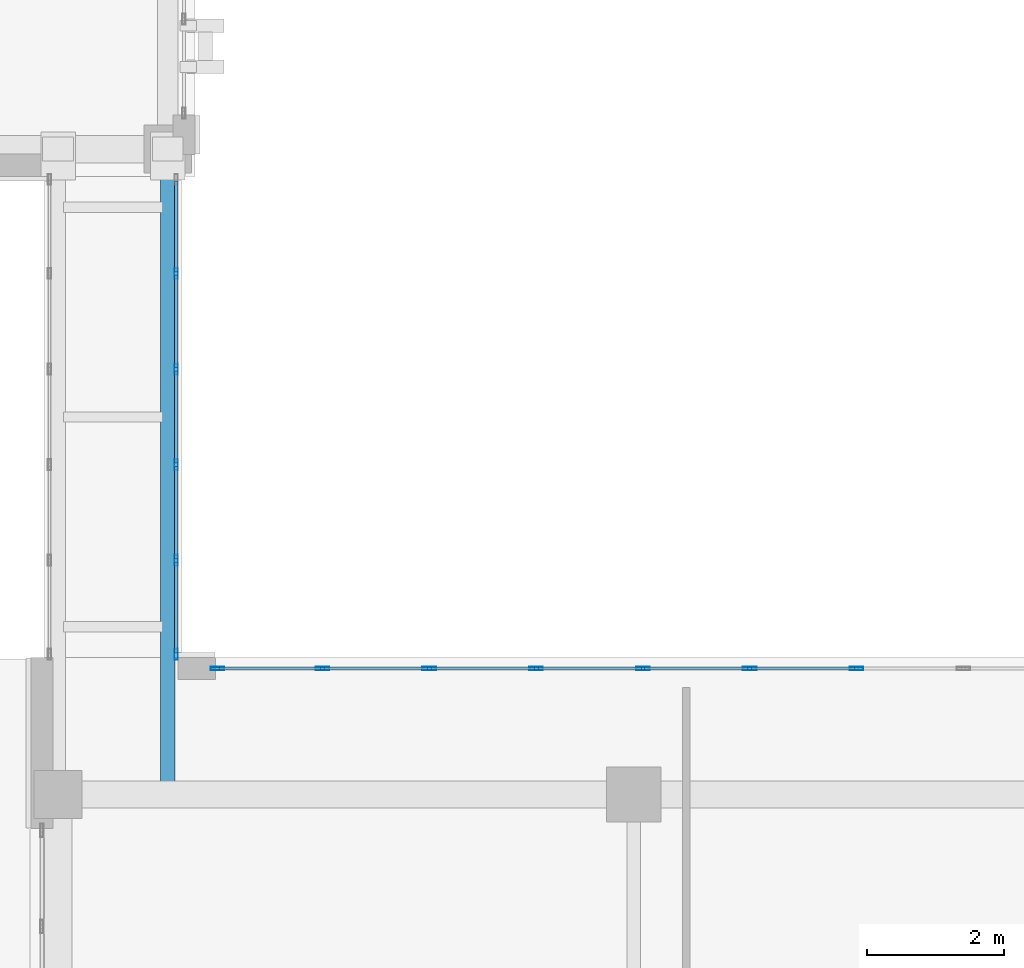
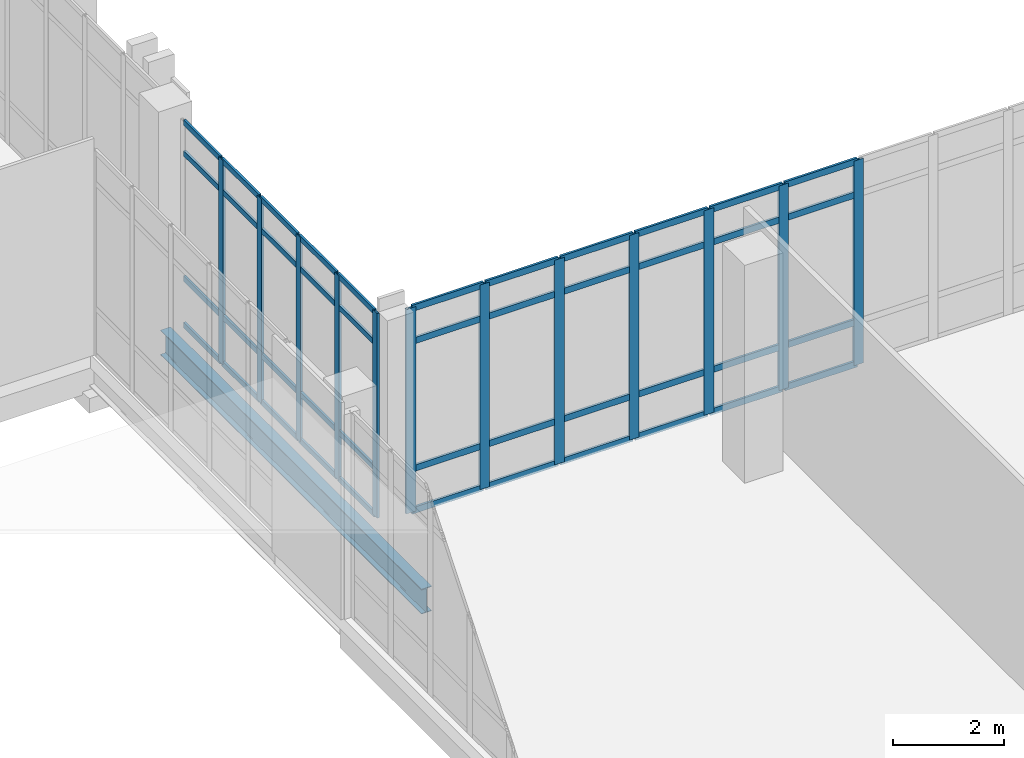
# One storey, part 20 of 189: 56 members, 1 beam, 2 elements without a shape of their own.
"""IFC4 building model written with IfcOpenShell, lengths in metres."""

from ifc_helpers import new_model, si_unit, direction, frame, origin, origin_2d, place, context, subcontext, project, spatial, hollow_rectangle, i_section, extrude, material, layer, layer_set, material_profile, profile_set, type_object, element, aggregate, save


model = new_model("IFC4")

# Units and contexts
model_context = context("Model", 3, precision=1e-05, world=origin(), true_north=direction((0.0, 1.0)))
body_context = subcontext(model_context, "Body", "Model", "MODEL_VIEW")
ifc_project = project(units=[si_unit("LENGTHUNIT", "METRE"), si_unit("AREAUNIT", "SQUARE_METRE"), si_unit("VOLUMEUNIT", "CUBIC_METRE"), si_unit("PLANEANGLEUNIT", "RADIAN"), si_unit("MASSUNIT", "GRAM", prefix="KILO")], contexts=[model_context])

# Site, building, storey
site_placement = place(None, origin())
site = spatial("IfcSite", under=ifc_project, at=site_placement, CompositionType="ELEMENT")
building_placement = place(site_placement, origin())
building = spatial("IfcBuilding", under=site, at=building_placement, Name="Qalavern Law Courts", CompositionType="ELEMENT")
storey_placement = place(building_placement, frame((0.0, 0.0, 5.39990234375)))
storey = spatial("IfcBuildingStorey", under=building, at=storey_placement, Name="L01", CompositionType="ELEMENT", Elevation=5.39990234375)

# Curtain wall, members
ifc_material_1 = material(Name="Anodised aluminium and insulated glazing", Category="aluminium")
ifc_layer_1 = layer(ifc_material_1, 0.14990234375)
ifc_layer_set_1 = layer_set([ifc_layer_1], Name="Anodised aluminium and insulated glazing")
curtain_wall_type_1 = type_object("IfcCurtainWallType", Name="ENV-CW-BRG", PredefinedType="USERDEFINED", material=ifc_layer_set_1)
curtain_wall_1_placement = place(storey_placement, origin())
curtain_wall_1 = element("IfcCurtainWall", 1, at=curtain_wall_1_placement, inside=storey, type_object=curtain_wall_type_1, Name="Bridge BR-V1-V3 glazed curtain wall L01-2", ObjectType="UNITISED CURTAIN WALL", PredefinedType="USERDEFINED")
ifc_material_2 = material(Name="Anodised aluminium", Category="aluminium")
ifc_material_profile_1 = material_profile(ifc_material_2, hollow_rectangle(XDim=0.048095703125, YDim=0.159912109375, WallThickness=0.00390625, at=origin_2d()), Name="ALU MULLION 48x160")
ifc_profile_set_1 = profile_set([ifc_material_profile_1], Name="Anodised aluminium")
member_type_1 = type_object("IfcMemberType", Name="ENV-CWM-48x160", PredefinedType="MULLION", material=ifc_profile_set_1)
member_1_placement = place(storey_placement, frame((18.52490234375, 34.0439453125, 0.0), z_axis=(0.0, 0.0, 1.0), x_axis=(-1.0, 0.0, 0.0)))
member_1 = element("IfcMember", 2, at=member_1_placement, type_object=member_type_1, Name="CW-06 mullion 1", PredefinedType="MULLION", context=body_context, shape_type="SweptSolid", body=[
    extrude(hollow_rectangle(XDim=0.048095703125, YDim=0.159912109375, WallThickness=0.00390625, at=origin_2d()), origin(), (0.0, 0.0, 1.0), 4.510009765625),
])
member_2_placement = place(storey_placement, frame((18.52490234375, 35.416015625, 0.0), z_axis=(0.0, 0.0, 1.0), x_axis=(-1.0, 0.0, 0.0)))
member_2 = element("IfcMember", 3, at=member_2_placement, type_object=member_type_1, Name="CW-06 mullion 2", PredefinedType="MULLION", context=body_context, shape_type="SweptSolid", body=[
    extrude(hollow_rectangle(XDim=0.048095703125, YDim=0.159912109375, WallThickness=0.00390625, at=origin_2d()), origin(), (0.0, 0.0, 1.0), 4.510009765625),
])
member_3_placement = place(storey_placement, frame((18.52490234375, 36.81201171875, 0.0), z_axis=(0.0, 0.0, 1.0), x_axis=(-1.0, 0.0, 0.0)))
member_3 = element("IfcMember", 4, at=member_3_placement, type_object=member_type_1, Name="CW-06 mullion 3", PredefinedType="MULLION", context=body_context, shape_type="SweptSolid", body=[
    extrude(hollow_rectangle(XDim=0.048095703125, YDim=0.159912109375, WallThickness=0.00390625, at=origin_2d()), origin(), (0.0, 0.0, 1.0), 4.510009765625),
])
member_4_placement = place(storey_placement, frame((18.52490234375, 38.2080078125, 0.0), z_axis=(0.0, 0.0, 1.0), x_axis=(-1.0, 0.0, 0.0)))
member_4 = element("IfcMember", 5, at=member_4_placement, type_object=member_type_1, Name="CW-06 mullion 4", PredefinedType="MULLION", context=body_context, shape_type="SweptSolid", body=[
    extrude(hollow_rectangle(XDim=0.048095703125, YDim=0.159912109375, WallThickness=0.00390625, at=origin_2d()), origin(), (0.0, 0.0, 1.0), 4.510009765625),
])
member_5_placement = place(storey_placement, frame((18.52490234375, 39.60400390625, 0.0), z_axis=(0.0, 0.0, 1.0), x_axis=(-1.0, 0.0, 0.0)))
member_5 = element("IfcMember", 6, at=member_5_placement, type_object=member_type_1, Name="CW-06 mullion 5", PredefinedType="MULLION", context=body_context, shape_type="SweptSolid", body=[
    extrude(hollow_rectangle(XDim=0.048095703125, YDim=0.159912109375, WallThickness=0.00390625, at=origin_2d()), origin(), (0.0, 0.0, 1.0), 4.510009765625),
])

ifc_layer_2 = layer(ifc_material_1, 0.199951171875)
ifc_layer_set_2 = layer_set([ifc_layer_2], Name="Anodised aluminium and insulated glazing")
curtain_wall_type_2 = type_object("IfcCurtainWallType", Name="ENV-CW-FOYER", PredefinedType="USERDEFINED", material=ifc_layer_set_2)
curtain_wall_2_placement = place(storey_placement, origin())
curtain_wall_2 = element("IfcCurtainWall", 7, at=curtain_wall_2_placement, inside=storey, type_object=curtain_wall_type_2, Name="V1 unitised curtain wall L01 north 1", ObjectType="UNITISED CURTAIN WALL", PredefinedType="USERDEFINED")
ifc_material_profile_2 = material_profile(ifc_material_2, hollow_rectangle(XDim=0.048095703125, YDim=0.199951171875, WallThickness=0.00439453125, at=origin_2d()), Name="ALU MULLION 48x200")
ifc_profile_set_2 = profile_set([ifc_material_profile_2], Name="Anodised aluminium")
member_type_2 = type_object("IfcMemberType", Name="ENV-CWM-48x200", PredefinedType="MULLION", material=ifc_profile_set_2)
member_6_placement = place(storey_placement, frame((28.453369140625, 33.83740234375, 0.0), z_axis=(0.0, 0.0, 1.0), x_axis=(0.0, -1.0, 0.0)))
member_6 = element("IfcMember", 8, at=member_6_placement, type_object=member_type_2, Name="CW-01 mullion 4", PredefinedType="MULLION", context=body_context, shape_type="SweptSolid", body=[
    extrude(hollow_rectangle(XDim=0.048095703125, YDim=0.199951171875, WallThickness=0.00439453125, at=origin_2d()), origin(), (0.0, 0.0, 1.0), 4.510009765625),
])
member_7_placement = place(storey_placement, frame((26.89453125, 33.83740234375, 0.0), z_axis=(0.0, 0.0, 1.0), x_axis=(0.0, -1.0, 0.0)))
member_7 = element("IfcMember", 9, at=member_7_placement, type_object=member_type_2, Name="CW-01 mullion 5", PredefinedType="MULLION", context=body_context, shape_type="SweptSolid", body=[
    extrude(hollow_rectangle(XDim=0.048095703125, YDim=0.199951171875, WallThickness=0.00439453125, at=origin_2d()), origin(), (0.0, 0.0, 1.0), 4.510009765625),
])
member_8_placement = place(storey_placement, frame((25.33544921875, 33.83740234375, 0.0), z_axis=(0.0, 0.0, 1.0), x_axis=(0.0, -1.0, 0.0)))
member_8 = element("IfcMember", 10, at=member_8_placement, type_object=member_type_2, Name="CW-01 mullion 6", PredefinedType="MULLION", context=body_context, shape_type="SweptSolid", body=[
    extrude(hollow_rectangle(XDim=0.048095703125, YDim=0.199951171875, WallThickness=0.00439453125, at=origin_2d()), origin(), (0.0, 0.0, 1.0), 4.510009765625),
])
member_9_placement = place(storey_placement, frame((23.776611328125, 33.83740234375, 0.0), z_axis=(0.0, 0.0, 1.0), x_axis=(0.0, -1.0, 0.0)))
member_9 = element("IfcMember", 11, at=member_9_placement, type_object=member_type_2, Name="CW-01 mullion 7", PredefinedType="MULLION", context=body_context, shape_type="SweptSolid", body=[
    extrude(hollow_rectangle(XDim=0.048095703125, YDim=0.199951171875, WallThickness=0.00439453125, at=origin_2d()), origin(), (0.0, 0.0, 1.0), 4.510009765625),
])
member_10_placement = place(storey_placement, frame((22.2177734375, 33.83740234375, 0.0), z_axis=(0.0, 0.0, 1.0), x_axis=(0.0, -1.0, 0.0)))
member_10 = element("IfcMember", 12, at=member_10_placement, type_object=member_type_2, Name="CW-01 mullion 8", PredefinedType="MULLION", context=body_context, shape_type="SweptSolid", body=[
    extrude(hollow_rectangle(XDim=0.048095703125, YDim=0.199951171875, WallThickness=0.00439453125, at=origin_2d()), origin(), (0.0, 0.0, 1.0), 4.510009765625),
])
member_11_placement = place(storey_placement, frame((20.658935546875, 33.83740234375, 0.0), z_axis=(0.0, 0.0, 1.0), x_axis=(0.0, -1.0, 0.0)))
member_11 = element("IfcMember", 13, at=member_11_placement, type_object=member_type_2, Name="CW-01 mullion 9", PredefinedType="MULLION", context=body_context, shape_type="SweptSolid", body=[
    extrude(hollow_rectangle(XDim=0.048095703125, YDim=0.199951171875, WallThickness=0.00439453125, at=origin_2d()), origin(), (0.0, 0.0, 1.0), 4.510009765625),
])
member_12_placement = place(storey_placement, frame((19.1240234375, 33.83740234375, 0.0), z_axis=(0.0, 0.0, 1.0), x_axis=(0.0, -1.0, 0.0)))
member_12 = element("IfcMember", 14, at=member_12_placement, type_object=member_type_2, Name="CW-01 mullion 10", PredefinedType="MULLION", context=body_context, shape_type="SweptSolid", body=[
    extrude(hollow_rectangle(XDim=0.048095703125, YDim=0.199951171875, WallThickness=0.00439453125, at=origin_2d()), origin(), (0.0, 0.0, 1.0), 4.510009765625),
])

# Member
ifc_material_profile_3 = material_profile(ifc_material_2, hollow_rectangle(XDim=0.048095703125, YDim=0.1201171875, WallThickness=0.00390625, at=origin_2d()), Name="ALU TRANSOM 48x120")
ifc_profile_set_3 = profile_set([ifc_material_profile_3], Name="Anodised aluminium")
member_type_3 = type_object("IfcMemberType", Name="ENV-CWT-48x120", PredefinedType="USERDEFINED", material=ifc_profile_set_3)
member_13_placement = place(storey_placement, frame((18.52490234375, 34.068115234375, 0.024169921875), z_axis=(0.0, 1.0, 0.0), x_axis=(-1.0, 0.0, 0.0)))
member_13 = element("IfcMember", 15, at=member_13_placement, type_object=member_type_3, Name="CW-06 transom 1.1", ObjectType="TRANSOM", PredefinedType="USERDEFINED", context=body_context, shape_type="SweptSolid", body=[
    extrude(hollow_rectangle(XDim=0.048095703125, YDim=0.1201171875, WallThickness=0.00390625, at=origin_2d()), origin(), (0.0, 0.0, 1.0), 1.323974609375),
])

member_14_placement = place(storey_placement, frame((18.52490234375, 34.068115234375, 1.050048828125), z_axis=(0.0, 1.0, 0.0), x_axis=(-1.0, 0.0, 0.0)))
member_14 = element("IfcMember", 16, at=member_14_placement, type_object=member_type_3, Name="CW-06 transom 1.2", ObjectType="TRANSOM", PredefinedType="USERDEFINED", context=body_context, shape_type="SweptSolid", body=[
    extrude(hollow_rectangle(XDim=0.048095703125, YDim=0.1201171875, WallThickness=0.00390625, at=origin_2d()), origin(), (0.0, 0.0, 1.0), 1.323974609375),
])

member_15_placement = place(storey_placement, frame((18.52490234375, 34.068115234375, 3.81005859375), z_axis=(0.0, 1.0, 0.0), x_axis=(-1.0, 0.0, 0.0)))
member_15 = element("IfcMember", 17, at=member_15_placement, type_object=member_type_3, Name="CW-06 transom 1.3", ObjectType="TRANSOM", PredefinedType="USERDEFINED", context=body_context, shape_type="SweptSolid", body=[
    extrude(hollow_rectangle(XDim=0.048095703125, YDim=0.1201171875, WallThickness=0.00390625, at=origin_2d()), origin(), (0.0, 0.0, 1.0), 1.323974609375),
])

member_16_placement = place(storey_placement, frame((18.52490234375, 34.068115234375, 4.486083984375), z_axis=(0.0, 1.0, 0.0), x_axis=(-1.0, 0.0, 0.0)))
member_16 = element("IfcMember", 18, at=member_16_placement, type_object=member_type_3, Name="CW-06 transom 1.4", ObjectType="TRANSOM", PredefinedType="USERDEFINED", context=body_context, shape_type="SweptSolid", body=[
    extrude(hollow_rectangle(XDim=0.048095703125, YDim=0.1201171875, WallThickness=0.00390625, at=origin_2d()), origin(), (0.0, 0.0, 1.0), 1.323974609375),
])

member_17_placement = place(storey_placement, frame((18.52490234375, 35.43994140625, 0.024169921875), z_axis=(0.0, 1.0, 0.0), x_axis=(-1.0, 0.0, 0.0)))
member_17 = element("IfcMember", 19, at=member_17_placement, type_object=member_type_3, Name="CW-06 transom 2.1", ObjectType="TRANSOM", PredefinedType="USERDEFINED", context=body_context, shape_type="SweptSolid", body=[
    extrude(hollow_rectangle(XDim=0.048095703125, YDim=0.1201171875, WallThickness=0.00390625, at=origin_2d()), origin(), (0.0, 0.0, 1.0), 1.34814453125),
])

member_18_placement = place(storey_placement, frame((18.52490234375, 35.43994140625, 1.050048828125), z_axis=(0.0, 1.0, 0.0), x_axis=(-1.0, 0.0, 0.0)))
member_18 = element("IfcMember", 20, at=member_18_placement, type_object=member_type_3, Name="CW-06 transom 2.2", ObjectType="TRANSOM", PredefinedType="USERDEFINED", context=body_context, shape_type="SweptSolid", body=[
    extrude(hollow_rectangle(XDim=0.048095703125, YDim=0.1201171875, WallThickness=0.00390625, at=origin_2d()), origin(), (0.0, 0.0, 1.0), 1.34814453125),
])

member_19_placement = place(storey_placement, frame((18.52490234375, 35.43994140625, 3.81005859375), z_axis=(0.0, 1.0, 0.0), x_axis=(-1.0, 0.0, 0.0)))
member_19 = element("IfcMember", 21, at=member_19_placement, type_object=member_type_3, Name="CW-06 transom 2.3", ObjectType="TRANSOM", PredefinedType="USERDEFINED", context=body_context, shape_type="SweptSolid", body=[
    extrude(hollow_rectangle(XDim=0.048095703125, YDim=0.1201171875, WallThickness=0.00390625, at=origin_2d()), origin(), (0.0, 0.0, 1.0), 1.34814453125),
])

member_20_placement = place(storey_placement, frame((18.52490234375, 35.43994140625, 4.486083984375), z_axis=(0.0, 1.0, 0.0), x_axis=(-1.0, 0.0, 0.0)))
member_20 = element("IfcMember", 22, at=member_20_placement, type_object=member_type_3, Name="CW-06 transom 2.4", ObjectType="TRANSOM", PredefinedType="USERDEFINED", context=body_context, shape_type="SweptSolid", body=[
    extrude(hollow_rectangle(XDim=0.048095703125, YDim=0.1201171875, WallThickness=0.00390625, at=origin_2d()), origin(), (0.0, 0.0, 1.0), 1.34814453125),
])

member_21_placement = place(storey_placement, frame((18.52490234375, 36.8359375, 0.024169921875), z_axis=(0.0, 1.0, 0.0), x_axis=(-1.0, 0.0, 0.0)))
member_21 = element("IfcMember", 23, at=member_21_placement, type_object=member_type_3, Name="CW-06 transom 3.1", ObjectType="TRANSOM", PredefinedType="USERDEFINED", context=body_context, shape_type="SweptSolid", body=[
    extrude(hollow_rectangle(XDim=0.048095703125, YDim=0.1201171875, WallThickness=0.00390625, at=origin_2d()), origin(), (0.0, 0.0, 1.0), 1.34814453125),
])

member_22_placement = place(storey_placement, frame((18.52490234375, 36.8359375, 1.050048828125), z_axis=(0.0, 1.0, 0.0), x_axis=(-1.0, 0.0, 0.0)))
member_22 = element("IfcMember", 24, at=member_22_placement, type_object=member_type_3, Name="CW-06 transom 3.2", ObjectType="TRANSOM", PredefinedType="USERDEFINED", context=body_context, shape_type="SweptSolid", body=[
    extrude(hollow_rectangle(XDim=0.048095703125, YDim=0.1201171875, WallThickness=0.00390625, at=origin_2d()), origin(), (0.0, 0.0, 1.0), 1.34814453125),
])

member_23_placement = place(storey_placement, frame((18.52490234375, 36.8359375, 3.81005859375), z_axis=(0.0, 1.0, 0.0), x_axis=(-1.0, 0.0, 0.0)))
member_23 = element("IfcMember", 25, at=member_23_placement, type_object=member_type_3, Name="CW-06 transom 3.3", ObjectType="TRANSOM", PredefinedType="USERDEFINED", context=body_context, shape_type="SweptSolid", body=[
    extrude(hollow_rectangle(XDim=0.048095703125, YDim=0.1201171875, WallThickness=0.00390625, at=origin_2d()), origin(), (0.0, 0.0, 1.0), 1.34814453125),
])

member_24_placement = place(storey_placement, frame((18.52490234375, 36.8359375, 4.486083984375), z_axis=(0.0, 1.0, 0.0), x_axis=(-1.0, 0.0, 0.0)))
member_24 = element("IfcMember", 26, at=member_24_placement, type_object=member_type_3, Name="CW-06 transom 3.4", ObjectType="TRANSOM", PredefinedType="USERDEFINED", context=body_context, shape_type="SweptSolid", body=[
    extrude(hollow_rectangle(XDim=0.048095703125, YDim=0.1201171875, WallThickness=0.00390625, at=origin_2d()), origin(), (0.0, 0.0, 1.0), 1.34814453125),
])

member_25_placement = place(storey_placement, frame((18.52490234375, 38.23193359375, 0.024169921875), z_axis=(0.0, 1.0, 0.0), x_axis=(-1.0, 0.0, 0.0)))
member_25 = element("IfcMember", 27, at=member_25_placement, type_object=member_type_3, Name="CW-06 transom 4.1", ObjectType="TRANSOM", PredefinedType="USERDEFINED", context=body_context, shape_type="SweptSolid", body=[
    extrude(hollow_rectangle(XDim=0.048095703125, YDim=0.1201171875, WallThickness=0.00390625, at=origin_2d()), origin(), (0.0, 0.0, 1.0), 1.34814453125),
])

member_26_placement = place(storey_placement, frame((18.52490234375, 38.23193359375, 1.050048828125), z_axis=(0.0, 1.0, 0.0), x_axis=(-1.0, 0.0, 0.0)))
member_26 = element("IfcMember", 28, at=member_26_placement, type_object=member_type_3, Name="CW-06 transom 4.2", ObjectType="TRANSOM", PredefinedType="USERDEFINED", context=body_context, shape_type="SweptSolid", body=[
    extrude(hollow_rectangle(XDim=0.048095703125, YDim=0.1201171875, WallThickness=0.00390625, at=origin_2d()), origin(), (0.0, 0.0, 1.0), 1.34814453125),
])

member_27_placement = place(storey_placement, frame((18.52490234375, 38.23193359375, 3.81005859375), z_axis=(0.0, 1.0, 0.0), x_axis=(-1.0, 0.0, 0.0)))
member_27 = element("IfcMember", 29, at=member_27_placement, type_object=member_type_3, Name="CW-06 transom 4.3", ObjectType="TRANSOM", PredefinedType="USERDEFINED", context=body_context, shape_type="SweptSolid", body=[
    extrude(hollow_rectangle(XDim=0.048095703125, YDim=0.1201171875, WallThickness=0.00390625, at=origin_2d()), origin(), (0.0, 0.0, 1.0), 1.34814453125),
])

member_28_placement = place(storey_placement, frame((18.52490234375, 38.23193359375, 4.486083984375), z_axis=(0.0, 1.0, 0.0), x_axis=(-1.0, 0.0, 0.0)))
member_28 = element("IfcMember", 30, at=member_28_placement, type_object=member_type_3, Name="CW-06 transom 4.4", ObjectType="TRANSOM", PredefinedType="USERDEFINED", context=body_context, shape_type="SweptSolid", body=[
    extrude(hollow_rectangle(XDim=0.048095703125, YDim=0.1201171875, WallThickness=0.00390625, at=origin_2d()), origin(), (0.0, 0.0, 1.0), 1.34814453125),
])

member_29_placement = place(storey_placement, frame((18.52490234375, 39.6279296875, 0.024169921875), z_axis=(0.0, 1.0, 0.0), x_axis=(-1.0, 0.0, 0.0)))
member_29 = element("IfcMember", 31, at=member_29_placement, type_object=member_type_3, Name="CW-06 transom 5.1", ObjectType="TRANSOM", PredefinedType="USERDEFINED", context=body_context, shape_type="SweptSolid", body=[
    extrude(hollow_rectangle(XDim=0.048095703125, YDim=0.1201171875, WallThickness=0.00390625, at=origin_2d()), origin(), (0.0, 0.0, 1.0), 1.323974609375),
])

member_30_placement = place(storey_placement, frame((18.52490234375, 39.6279296875, 1.050048828125), z_axis=(0.0, 1.0, 0.0), x_axis=(-1.0, 0.0, 0.0)))
member_30 = element("IfcMember", 32, at=member_30_placement, type_object=member_type_3, Name="CW-06 transom 5.2", ObjectType="TRANSOM", PredefinedType="USERDEFINED", context=body_context, shape_type="SweptSolid", body=[
    extrude(hollow_rectangle(XDim=0.048095703125, YDim=0.1201171875, WallThickness=0.00390625, at=origin_2d()), origin(), (0.0, 0.0, 1.0), 1.323974609375),
])

member_31_placement = place(storey_placement, frame((18.52490234375, 39.6279296875, 3.81005859375), z_axis=(0.0, 1.0, 0.0), x_axis=(-1.0, 0.0, 0.0)))
member_31 = element("IfcMember", 33, at=member_31_placement, type_object=member_type_3, Name="CW-06 transom 5.3", ObjectType="TRANSOM", PredefinedType="USERDEFINED", context=body_context, shape_type="SweptSolid", body=[
    extrude(hollow_rectangle(XDim=0.048095703125, YDim=0.1201171875, WallThickness=0.00390625, at=origin_2d()), origin(), (0.0, 0.0, 1.0), 1.323974609375),
])

member_32_placement = place(storey_placement, frame((18.52490234375, 39.6279296875, 4.486083984375), z_axis=(0.0, 1.0, 0.0), x_axis=(-1.0, 0.0, 0.0)))
member_32 = element("IfcMember", 34, at=member_32_placement, type_object=member_type_3, Name="CW-06 transom 5.4", ObjectType="TRANSOM", PredefinedType="USERDEFINED", context=body_context, shape_type="SweptSolid", body=[
    extrude(hollow_rectangle(XDim=0.048095703125, YDim=0.1201171875, WallThickness=0.00390625, at=origin_2d()), origin(), (0.0, 0.0, 1.0), 1.323974609375),
])

aggregate(curtain_wall_1, [member_1, member_2, member_3, member_4, member_5, member_13, member_14, member_15, member_16, member_17, member_18, member_19, member_20, member_21, member_22, member_23, member_24, member_25, member_26, member_27, member_28, member_29, member_30, member_31, member_32])

ifc_material_profile_4 = material_profile(ifc_material_2, hollow_rectangle(XDim=0.048095703125, YDim=0.139892578125, WallThickness=0.00390625, at=origin_2d()), Name="ALU TRANSOM 48x140")
ifc_profile_set_4 = profile_set([ifc_material_profile_4], Name="Anodised aluminium")
member_type_4 = type_object("IfcMemberType", Name="ENV-CWT-48x140", PredefinedType="USERDEFINED", material=ifc_profile_set_4)
member_33_placement = place(storey_placement, frame((28.429443359375, 33.83740234375, 0.024169921875), z_axis=(-1.0, 0.0, 0.0), x_axis=(0.0, -1.0, 0.0)))
member_33 = element("IfcMember", 35, at=member_33_placement, type_object=member_type_4, Name="CW-01 transom 4.1", ObjectType="TRANSOM", PredefinedType="USERDEFINED", context=body_context, shape_type="SweptSolid", body=[
    extrude(hollow_rectangle(XDim=0.048095703125, YDim=0.139892578125, WallThickness=0.00390625, at=origin_2d()), origin(), (0.0, 0.0, 1.0), 1.510986328125),
])

member_34_placement = place(storey_placement, frame((28.429443359375, 33.83740234375, 0.9501953125), z_axis=(-1.0, 0.0, 0.0), x_axis=(0.0, -1.0, 0.0)))
member_34 = element("IfcMember", 36, at=member_34_placement, type_object=member_type_4, Name="CW-01 transom 4.2", ObjectType="TRANSOM", PredefinedType="USERDEFINED", context=body_context, shape_type="SweptSolid", body=[
    extrude(hollow_rectangle(XDim=0.048095703125, YDim=0.139892578125, WallThickness=0.00390625, at=origin_2d()), origin(), (0.0, 0.0, 1.0), 1.510986328125),
])

member_35_placement = place(storey_placement, frame((28.429443359375, 33.83740234375, 3.760009765625), z_axis=(-1.0, 0.0, 0.0), x_axis=(0.0, -1.0, 0.0)))
member_35 = element("IfcMember", 37, at=member_35_placement, type_object=member_type_4, Name="CW-01 transom 4.3", ObjectType="TRANSOM", PredefinedType="USERDEFINED", context=body_context, shape_type="SweptSolid", body=[
    extrude(hollow_rectangle(XDim=0.048095703125, YDim=0.139892578125, WallThickness=0.00390625, at=origin_2d()), origin(), (0.0, 0.0, 1.0), 1.510986328125),
])

member_36_placement = place(storey_placement, frame((28.429443359375, 33.83740234375, 4.486083984375), z_axis=(-1.0, 0.0, 0.0), x_axis=(0.0, -1.0, 0.0)))
member_36 = element("IfcMember", 38, at=member_36_placement, type_object=member_type_4, Name="CW-01 transom 4.4", ObjectType="TRANSOM", PredefinedType="USERDEFINED", context=body_context, shape_type="SweptSolid", body=[
    extrude(hollow_rectangle(XDim=0.048095703125, YDim=0.139892578125, WallThickness=0.00390625, at=origin_2d()), origin(), (0.0, 0.0, 1.0), 1.510986328125),
])

member_37_placement = place(storey_placement, frame((26.870361328125, 33.83740234375, 0.024169921875), z_axis=(-1.0, 0.0, 0.0), x_axis=(0.0, -1.0, 0.0)))
member_37 = element("IfcMember", 39, at=member_37_placement, type_object=member_type_4, Name="CW-01 transom 5.1", ObjectType="TRANSOM", PredefinedType="USERDEFINED", context=body_context, shape_type="SweptSolid", body=[
    extrude(hollow_rectangle(XDim=0.048095703125, YDim=0.139892578125, WallThickness=0.00390625, at=origin_2d()), origin(), (0.0, 0.0, 1.0), 1.5107421875),
])

member_38_placement = place(storey_placement, frame((26.870361328125, 33.83740234375, 0.9501953125), z_axis=(-1.0, 0.0, 0.0), x_axis=(0.0, -1.0, 0.0)))
member_38 = element("IfcMember", 40, at=member_38_placement, type_object=member_type_4, Name="CW-01 transom 5.2", ObjectType="TRANSOM", PredefinedType="USERDEFINED", context=body_context, shape_type="SweptSolid", body=[
    extrude(hollow_rectangle(XDim=0.048095703125, YDim=0.139892578125, WallThickness=0.00390625, at=origin_2d()), origin(), (0.0, 0.0, 1.0), 1.5107421875),
])

member_39_placement = place(storey_placement, frame((26.870361328125, 33.83740234375, 3.760009765625), z_axis=(-1.0, 0.0, 0.0), x_axis=(0.0, -1.0, 0.0)))
member_39 = element("IfcMember", 41, at=member_39_placement, type_object=member_type_4, Name="CW-01 transom 5.3", ObjectType="TRANSOM", PredefinedType="USERDEFINED", context=body_context, shape_type="SweptSolid", body=[
    extrude(hollow_rectangle(XDim=0.048095703125, YDim=0.139892578125, WallThickness=0.00390625, at=origin_2d()), origin(), (0.0, 0.0, 1.0), 1.5107421875),
])

member_40_placement = place(storey_placement, frame((26.870361328125, 33.83740234375, 4.486083984375), z_axis=(-1.0, 0.0, 0.0), x_axis=(0.0, -1.0, 0.0)))
member_40 = element("IfcMember", 42, at=member_40_placement, type_object=member_type_4, Name="CW-01 transom 5.4", ObjectType="TRANSOM", PredefinedType="USERDEFINED", context=body_context, shape_type="SweptSolid", body=[
    extrude(hollow_rectangle(XDim=0.048095703125, YDim=0.139892578125, WallThickness=0.00390625, at=origin_2d()), origin(), (0.0, 0.0, 1.0), 1.5107421875),
])

member_41_placement = place(storey_placement, frame((25.3115234375, 33.83740234375, 0.024169921875), z_axis=(-1.0, 0.0, 0.0), x_axis=(0.0, -1.0, 0.0)))
member_41 = element("IfcMember", 43, at=member_41_placement, type_object=member_type_4, Name="CW-01 transom 6.1", ObjectType="TRANSOM", PredefinedType="USERDEFINED", context=body_context, shape_type="SweptSolid", body=[
    extrude(hollow_rectangle(XDim=0.048095703125, YDim=0.139892578125, WallThickness=0.00390625, at=origin_2d()), origin(), (0.0, 0.0, 1.0), 1.5107421875),
])

member_42_placement = place(storey_placement, frame((25.3115234375, 33.83740234375, 0.9501953125), z_axis=(-1.0, 0.0, 0.0), x_axis=(0.0, -1.0, 0.0)))
member_42 = element("IfcMember", 44, at=member_42_placement, type_object=member_type_4, Name="CW-01 transom 6.2", ObjectType="TRANSOM", PredefinedType="USERDEFINED", context=body_context, shape_type="SweptSolid", body=[
    extrude(hollow_rectangle(XDim=0.048095703125, YDim=0.139892578125, WallThickness=0.00390625, at=origin_2d()), origin(), (0.0, 0.0, 1.0), 1.5107421875),
])

member_43_placement = place(storey_placement, frame((25.3115234375, 33.83740234375, 3.760009765625), z_axis=(-1.0, 0.0, 0.0), x_axis=(0.0, -1.0, 0.0)))
member_43 = element("IfcMember", 45, at=member_43_placement, type_object=member_type_4, Name="CW-01 transom 6.3", ObjectType="TRANSOM", PredefinedType="USERDEFINED", context=body_context, shape_type="SweptSolid", body=[
    extrude(hollow_rectangle(XDim=0.048095703125, YDim=0.139892578125, WallThickness=0.00390625, at=origin_2d()), origin(), (0.0, 0.0, 1.0), 1.5107421875),
])

member_44_placement = place(storey_placement, frame((25.3115234375, 33.83740234375, 4.486083984375), z_axis=(-1.0, 0.0, 0.0), x_axis=(0.0, -1.0, 0.0)))
member_44 = element("IfcMember", 46, at=member_44_placement, type_object=member_type_4, Name="CW-01 transom 6.4", ObjectType="TRANSOM", PredefinedType="USERDEFINED", context=body_context, shape_type="SweptSolid", body=[
    extrude(hollow_rectangle(XDim=0.048095703125, YDim=0.139892578125, WallThickness=0.00390625, at=origin_2d()), origin(), (0.0, 0.0, 1.0), 1.5107421875),
])

member_45_placement = place(storey_placement, frame((23.752685546875, 33.83740234375, 0.024169921875), z_axis=(-1.0, 0.0, 0.0), x_axis=(0.0, -1.0, 0.0)))
member_45 = element("IfcMember", 47, at=member_45_placement, type_object=member_type_4, Name="CW-01 transom 7.1", ObjectType="TRANSOM", PredefinedType="USERDEFINED", context=body_context, shape_type="SweptSolid", body=[
    extrude(hollow_rectangle(XDim=0.048095703125, YDim=0.139892578125, WallThickness=0.00390625, at=origin_2d()), origin(), (0.0, 0.0, 1.0), 1.510986328125),
])

member_46_placement = place(storey_placement, frame((23.752685546875, 33.83740234375, 0.9501953125), z_axis=(-1.0, 0.0, 0.0), x_axis=(0.0, -1.0, 0.0)))
member_46 = element("IfcMember", 48, at=member_46_placement, type_object=member_type_4, Name="CW-01 transom 7.2", ObjectType="TRANSOM", PredefinedType="USERDEFINED", context=body_context, shape_type="SweptSolid", body=[
    extrude(hollow_rectangle(XDim=0.048095703125, YDim=0.139892578125, WallThickness=0.00390625, at=origin_2d()), origin(), (0.0, 0.0, 1.0), 1.510986328125),
])

member_47_placement = place(storey_placement, frame((23.752685546875, 33.83740234375, 3.760009765625), z_axis=(-1.0, 0.0, 0.0), x_axis=(0.0, -1.0, 0.0)))
member_47 = element("IfcMember", 49, at=member_47_placement, type_object=member_type_4, Name="CW-01 transom 7.3", ObjectType="TRANSOM", PredefinedType="USERDEFINED", context=body_context, shape_type="SweptSolid", body=[
    extrude(hollow_rectangle(XDim=0.048095703125, YDim=0.139892578125, WallThickness=0.00390625, at=origin_2d()), origin(), (0.0, 0.0, 1.0), 1.510986328125),
])

member_48_placement = place(storey_placement, frame((23.752685546875, 33.83740234375, 4.486083984375), z_axis=(-1.0, 0.0, 0.0), x_axis=(0.0, -1.0, 0.0)))
member_48 = element("IfcMember", 50, at=member_48_placement, type_object=member_type_4, Name="CW-01 transom 7.4", ObjectType="TRANSOM", PredefinedType="USERDEFINED", context=body_context, shape_type="SweptSolid", body=[
    extrude(hollow_rectangle(XDim=0.048095703125, YDim=0.139892578125, WallThickness=0.00390625, at=origin_2d()), origin(), (0.0, 0.0, 1.0), 1.510986328125),
])

member_49_placement = place(storey_placement, frame((22.19384765625, 33.83740234375, 0.024169921875), z_axis=(-1.0, 0.0, 0.0), x_axis=(0.0, -1.0, 0.0)))
member_49 = element("IfcMember", 51, at=member_49_placement, type_object=member_type_4, Name="CW-01 transom 8.1", ObjectType="TRANSOM", PredefinedType="USERDEFINED", context=body_context, shape_type="SweptSolid", body=[
    extrude(hollow_rectangle(XDim=0.048095703125, YDim=0.139892578125, WallThickness=0.00390625, at=origin_2d()), origin(), (0.0, 0.0, 1.0), 1.510986328125),
])

member_50_placement = place(storey_placement, frame((22.19384765625, 33.83740234375, 0.9501953125), z_axis=(-1.0, 0.0, 0.0), x_axis=(0.0, -1.0, 0.0)))
member_50 = element("IfcMember", 52, at=member_50_placement, type_object=member_type_4, Name="CW-01 transom 8.2", ObjectType="TRANSOM", PredefinedType="USERDEFINED", context=body_context, shape_type="SweptSolid", body=[
    extrude(hollow_rectangle(XDim=0.048095703125, YDim=0.139892578125, WallThickness=0.00390625, at=origin_2d()), origin(), (0.0, 0.0, 1.0), 1.510986328125),
])

member_51_placement = place(storey_placement, frame((22.19384765625, 33.83740234375, 3.760009765625), z_axis=(-1.0, 0.0, 0.0), x_axis=(0.0, -1.0, 0.0)))
member_51 = element("IfcMember", 53, at=member_51_placement, type_object=member_type_4, Name="CW-01 transom 8.3", ObjectType="TRANSOM", PredefinedType="USERDEFINED", context=body_context, shape_type="SweptSolid", body=[
    extrude(hollow_rectangle(XDim=0.048095703125, YDim=0.139892578125, WallThickness=0.00390625, at=origin_2d()), origin(), (0.0, 0.0, 1.0), 1.510986328125),
])

member_52_placement = place(storey_placement, frame((22.19384765625, 33.83740234375, 4.486083984375), z_axis=(-1.0, 0.0, 0.0), x_axis=(0.0, -1.0, 0.0)))
member_52 = element("IfcMember", 54, at=member_52_placement, type_object=member_type_4, Name="CW-01 transom 8.4", ObjectType="TRANSOM", PredefinedType="USERDEFINED", context=body_context, shape_type="SweptSolid", body=[
    extrude(hollow_rectangle(XDim=0.048095703125, YDim=0.139892578125, WallThickness=0.00390625, at=origin_2d()), origin(), (0.0, 0.0, 1.0), 1.510986328125),
])

member_53_placement = place(storey_placement, frame((20.635009765625, 33.83740234375, 0.024169921875), z_axis=(-1.0, 0.0, 0.0), x_axis=(0.0, -1.0, 0.0)))
member_53 = element("IfcMember", 55, at=member_53_placement, type_object=member_type_4, Name="CW-01 transom 9.1", ObjectType="TRANSOM", PredefinedType="USERDEFINED", context=body_context, shape_type="SweptSolid", body=[
    extrude(hollow_rectangle(XDim=0.048095703125, YDim=0.139892578125, WallThickness=0.00390625, at=origin_2d()), origin(), (0.0, 0.0, 1.0), 1.487060546875),
])

member_54_placement = place(storey_placement, frame((20.635009765625, 33.83740234375, 0.9501953125), z_axis=(-1.0, 0.0, 0.0), x_axis=(0.0, -1.0, 0.0)))
member_54 = element("IfcMember", 56, at=member_54_placement, type_object=member_type_4, Name="CW-01 transom 9.2", ObjectType="TRANSOM", PredefinedType="USERDEFINED", context=body_context, shape_type="SweptSolid", body=[
    extrude(hollow_rectangle(XDim=0.048095703125, YDim=0.139892578125, WallThickness=0.00390625, at=origin_2d()), origin(), (0.0, 0.0, 1.0), 1.487060546875),
])

member_55_placement = place(storey_placement, frame((20.635009765625, 33.83740234375, 3.760009765625), z_axis=(-1.0, 0.0, 0.0), x_axis=(0.0, -1.0, 0.0)))
member_55 = element("IfcMember", 57, at=member_55_placement, type_object=member_type_4, Name="CW-01 transom 9.3", ObjectType="TRANSOM", PredefinedType="USERDEFINED", context=body_context, shape_type="SweptSolid", body=[
    extrude(hollow_rectangle(XDim=0.048095703125, YDim=0.139892578125, WallThickness=0.00390625, at=origin_2d()), origin(), (0.0, 0.0, 1.0), 1.487060546875),
])

member_56_placement = place(storey_placement, frame((20.635009765625, 33.83740234375, 4.486083984375), z_axis=(-1.0, 0.0, 0.0), x_axis=(0.0, -1.0, 0.0)))
member_56 = element("IfcMember", 58, at=member_56_placement, type_object=member_type_4, Name="CW-01 transom 9.4", ObjectType="TRANSOM", PredefinedType="USERDEFINED", context=body_context, shape_type="SweptSolid", body=[
    extrude(hollow_rectangle(XDim=0.048095703125, YDim=0.139892578125, WallThickness=0.00390625, at=origin_2d()), origin(), (0.0, 0.0, 1.0), 1.487060546875),
])

aggregate(curtain_wall_2, [member_6, member_7, member_8, member_9, member_10, member_11, member_12, member_33, member_34, member_35, member_36, member_37, member_38, member_39, member_40, member_41, member_42, member_43, member_44, member_45, member_46, member_47, member_48, member_49, member_50, member_51, member_52, member_53, member_54, member_55, member_56])

# Beam
ifc_material_3 = material(Name="Steel S355", Category="steel")
ifc_material_profile_5 = material_profile(ifc_material_3, i_section(OverallWidth=0.2099609375, OverallDepth=0.550048828125, WebThickness=0.010986328125, FlangeThickness=0.01708984375, FilletRadius=0.02392578125, at=origin_2d()), Name="IPE 550")
ifc_profile_set_5 = profile_set([ifc_material_profile_5], Name="Steel S355")
beam_type = type_object("IfcBeamType", Name="STR-BM-IPE550", PredefinedType="BEAM", material=ifc_profile_set_5)
beam_placement = place(storey_placement, frame((18.39990234375, 32.0, -0.574951171875), z_axis=(0.0, 1.0, 0.0), x_axis=(-1.0, 0.0, 0.0)))
element("IfcBeam", 59, at=beam_placement, inside=storey, type_object=beam_type, Name="Bridge BR-V1-V3 edge girder 2 L01", PredefinedType="BEAM", context=body_context, shape_type="SweptSolid", body=[
    extrude(i_section(OverallWidth=0.2099609375, OverallDepth=0.550048828125, WebThickness=0.010986328125, FlangeThickness=0.01708984375, FilletRadius=0.02392578125, at=origin_2d()), origin(), (0.0, 0.0, 1.0), 9.419921875),
])

save(model, "model.ifc")
